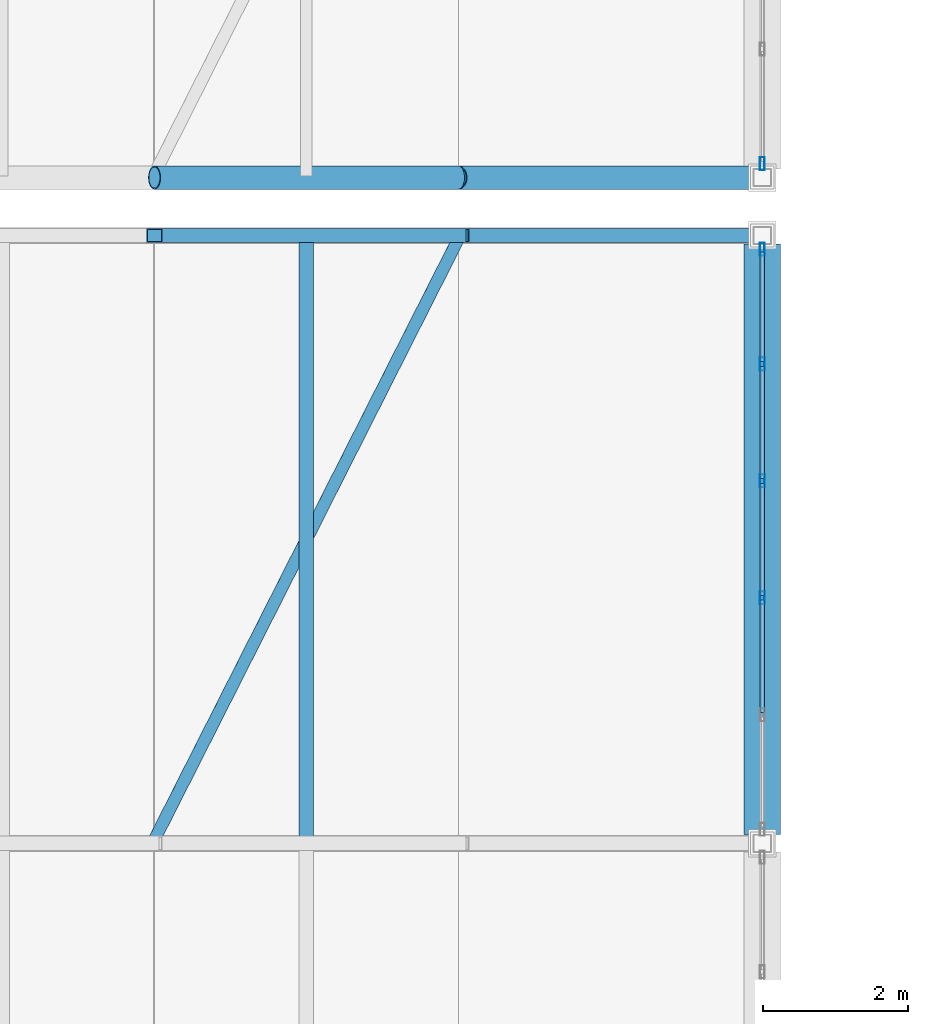
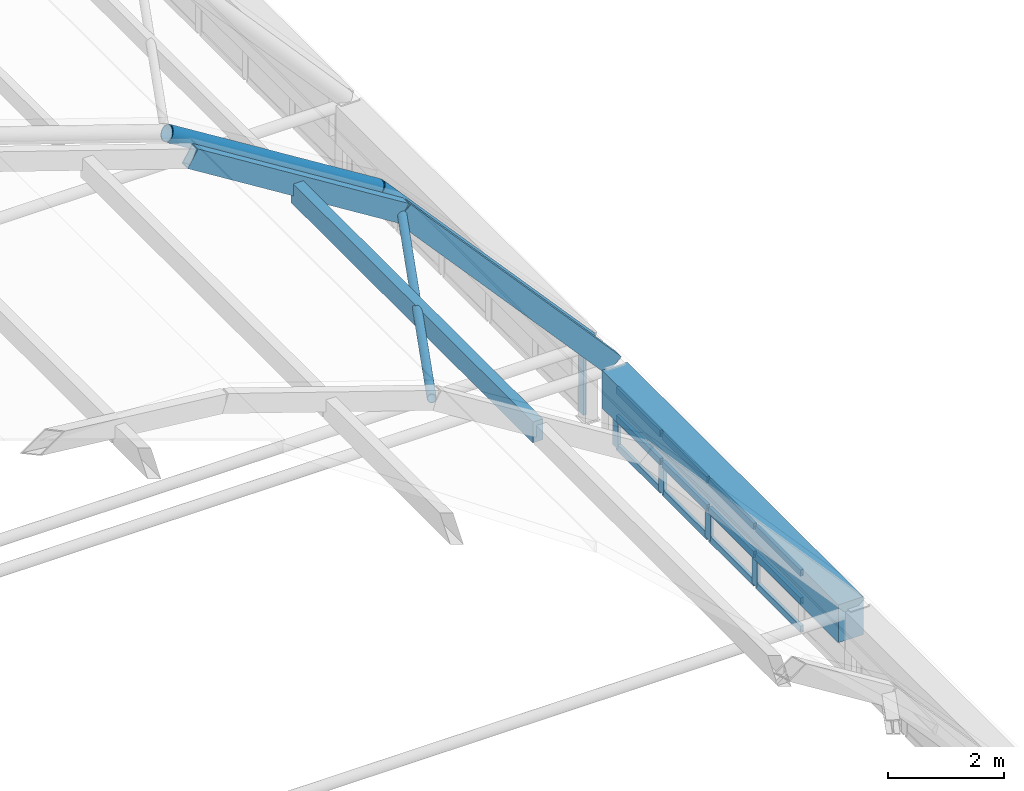
# One storey, part 36 of 114: 19 members, 5 beams, 2 elements without a shape of their own.
"""IFC4 building model written with IfcOpenShell, lengths in metres."""

from ifc_helpers import new_model, si_unit, direction, frame, origin, origin_2d, place, context, subcontext, project, spatial, rectangle, hollow_rectangle, hollow_circle, extrude, material, layer, layer_set, material_profile, profile_set, type_object, element, aggregate, save


model = new_model("IFC4")

# Units and contexts
model_context = context("Model", 3, precision=1e-05, world=origin(), true_north=direction((0.0, 1.0)))
body_context = subcontext(model_context, "Body", "Model", "MODEL_VIEW")
ifc_project = project(units=[si_unit("LENGTHUNIT", "METRE"), si_unit("AREAUNIT", "SQUARE_METRE"), si_unit("VOLUMEUNIT", "CUBIC_METRE"), si_unit("PLANEANGLEUNIT", "RADIAN"), si_unit("MASSUNIT", "GRAM", prefix="KILO")], contexts=[model_context])

# Site, building, storey
site_placement = place(None, origin())
site = spatial("IfcSite", under=ifc_project, at=site_placement, CompositionType="ELEMENT")
building_placement = place(site_placement, origin())
building = spatial("IfcBuilding", under=site, at=building_placement, Name="Xazarin Passage Department Store", CompositionType="ELEMENT")
storey_placement = place(building_placement, frame((0.0, 0.0, 14.39990234375)))
storey = spatial("IfcBuildingStorey", under=building, at=storey_placement, Name="L03", CompositionType="ELEMENT", Elevation=14.39990234375)

# Curtain wall, members
ifc_material_1 = material(Name="Bronze anodised aluminium", Category="aluminium")
ifc_layer = layer(ifc_material_1, 0.159912109375)
ifc_layer_set = layer_set([ifc_layer], Name="Bronze anodised aluminium")
curtain_wall_type = type_object("IfcCurtainWallType", Name="ARC-CW-ARC1", PredefinedType="NOTDEFINED", material=ifc_layer_set)
curtain_wall_1_placement = place(storey_placement, origin())
curtain_wall_1 = element("IfcCurtainWall", 1, at=curtain_wall_1_placement, inside=storey, type_object=curtain_wall_type, Name="L03 V2S Galleria Clerestory Curtain Wall 6E", PredefinedType="NOTDEFINED")
ifc_material_profile_1 = material_profile(ifc_material_1, hollow_rectangle(XDim=0.06494140625, YDim=0.179931640625, WallThickness=0.00390625, at=origin_2d()), Name="ALU 65x180")
ifc_profile_set_1 = profile_set([ifc_material_profile_1], Name="Bronze anodised aluminium")
member_type_1 = type_object("IfcMemberType", Name="ARC-CWM-65x180", PredefinedType="MULLION", material=ifc_profile_set_1)
member_1_placement = place(storey_placement, frame((101.60009765625, 45.39208984375, 0.0), z_axis=(0.0, 0.0, 1.0), x_axis=(-1.0, 0.0, 0.0)))
member_1 = element("IfcMember", 2, at=member_1_placement, type_object=member_type_1, Name="CW3 mullion 3", PredefinedType="MULLION", context=body_context, shape_type="SweptSolid", body=[
    extrude(hollow_rectangle(XDim=0.06494140625, YDim=0.179931640625, WallThickness=0.00390625, at=origin_2d()), origin(), (0.0, 0.0, 1.0), 1.251708984375),
])
member_2_placement = place(storey_placement, frame((101.60009765625, 47.008056640625, 0.0), z_axis=(0.0, 0.0, 1.0), x_axis=(-1.0, 0.0, 0.0)))
member_2 = element("IfcMember", 3, at=member_2_placement, type_object=member_type_1, Name="CW3 mullion 4", PredefinedType="MULLION", context=body_context, shape_type="SweptSolid", body=[
    extrude(hollow_rectangle(XDim=0.06494140625, YDim=0.179931640625, WallThickness=0.00390625, at=origin_2d()), origin(), (0.0, 0.0, 1.0), 1.251708984375),
])
member_3_placement = place(storey_placement, frame((101.60009765625, 48.6240234375, 0.0), z_axis=(0.0, 0.0, 1.0), x_axis=(-1.0, 0.0, 0.0)))
member_3 = element("IfcMember", 4, at=member_3_placement, type_object=member_type_1, Name="CW3 mullion 5", PredefinedType="MULLION", context=body_context, shape_type="SweptSolid", body=[
    extrude(hollow_rectangle(XDim=0.06494140625, YDim=0.179931640625, WallThickness=0.00390625, at=origin_2d()), origin(), (0.0, 0.0, 1.0), 1.251708984375),
])
member_4_placement = place(storey_placement, frame((101.60009765625, 50.20751953125, 0.0), z_axis=(0.0, 0.0, 1.0), x_axis=(-1.0, 0.0, 0.0)))
member_4 = element("IfcMember", 5, at=member_4_placement, type_object=member_type_1, Name="CW3 mullion 6", PredefinedType="MULLION", context=body_context, shape_type="SweptSolid", body=[
    extrude(hollow_rectangle(XDim=0.06494140625, YDim=0.179931640625, WallThickness=0.00390625, at=origin_2d()), origin(), (0.0, 0.0, 1.0), 1.251708984375),
])

# Curtain wall, member
curtain_wall_2_placement = place(storey_placement, origin())
curtain_wall_2 = element("IfcCurtainWall", 6, at=curtain_wall_2_placement, inside=storey, type_object=curtain_wall_type, Name="L03 V2N Galleria Clerestory Curtain Wall 1E", PredefinedType="NOTDEFINED")
member_5_placement = place(storey_placement, frame((101.60009765625, 51.392578125, 0.0), z_axis=(0.0, 0.0, 1.0), x_axis=(-1.0, 0.0, 0.0)))
member_5 = element("IfcMember", 7, at=member_5_placement, type_object=member_type_1, Name="CW3 mullion 1", PredefinedType="MULLION", context=body_context, shape_type="SweptSolid", body=[
    extrude(hollow_rectangle(XDim=0.06494140625, YDim=0.179931640625, WallThickness=0.00390625, at=origin_2d()), origin(), (0.0, 0.0, 1.0), 1.251708984375),
])
aggregate(curtain_wall_2, [member_5])

# Member
ifc_material_profile_2 = material_profile(ifc_material_1, hollow_rectangle(XDim=0.06494140625, YDim=0.139892578125, WallThickness=0.00390625, at=origin_2d()), Name="ALU 65x140")
ifc_profile_set_2 = profile_set([ifc_material_profile_2], Name="Bronze anodised aluminium")
member_type_2 = type_object("IfcMemberType", Name="ARC-CWT-65x140", PredefinedType="USERDEFINED", material=ifc_profile_set_2)
member_6_placement = place(storey_placement, frame((101.60009765625, 43.80859375, 0.03271484375), z_axis=(0.0, 1.0, 0.0), x_axis=(-1.0, 0.0, 0.0)))
member_6 = element("IfcMember", 8, at=member_6_placement, type_object=member_type_2, Name="CW3 transom 2.1", ObjectType="TRANSOM", PredefinedType="USERDEFINED", context=body_context, shape_type="SweptSolid", body=[
    extrude(hollow_rectangle(XDim=0.06494140625, YDim=0.139892578125, WallThickness=0.00390625, at=origin_2d()), origin(), (0.0, 0.0, 1.0), 1.551025390625),
])

member_7_placement = place(storey_placement, frame((101.60009765625, 43.80859375, 0.6259765625), z_axis=(0.0, 1.0, 0.0), x_axis=(-1.0, 0.0, 0.0)))
member_7 = element("IfcMember", 9, at=member_7_placement, type_object=member_type_2, Name="CW3 transom 2.2", ObjectType="TRANSOM", PredefinedType="USERDEFINED", context=body_context, shape_type="SweptSolid", body=[
    extrude(hollow_rectangle(XDim=0.06494140625, YDim=0.139892578125, WallThickness=0.00390625, at=origin_2d()), origin(), (0.0, 0.0, 1.0), 1.551025390625),
])

member_8_placement = place(storey_placement, frame((101.60009765625, 43.80859375, 1.21923828125), z_axis=(0.0, 1.0, 0.0), x_axis=(-1.0, 0.0, 0.0)))
member_8 = element("IfcMember", 10, at=member_8_placement, type_object=member_type_2, Name="CW3 transom 2.3", ObjectType="TRANSOM", PredefinedType="USERDEFINED", context=body_context, shape_type="SweptSolid", body=[
    extrude(hollow_rectangle(XDim=0.06494140625, YDim=0.139892578125, WallThickness=0.00390625, at=origin_2d()), origin(), (0.0, 0.0, 1.0), 1.551025390625),
])

member_9_placement = place(storey_placement, frame((101.60009765625, 45.424560546875, 0.03271484375), z_axis=(0.0, 1.0, 0.0), x_axis=(-1.0, 0.0, 0.0)))
member_9 = element("IfcMember", 11, at=member_9_placement, type_object=member_type_2, Name="CW3 transom 3.1", ObjectType="TRANSOM", PredefinedType="USERDEFINED", context=body_context, shape_type="SweptSolid", body=[
    extrude(hollow_rectangle(XDim=0.06494140625, YDim=0.139892578125, WallThickness=0.00390625, at=origin_2d()), origin(), (0.0, 0.0, 1.0), 1.551025390625),
])

member_10_placement = place(storey_placement, frame((101.60009765625, 45.424560546875, 0.6259765625), z_axis=(0.0, 1.0, 0.0), x_axis=(-1.0, 0.0, 0.0)))
member_10 = element("IfcMember", 12, at=member_10_placement, type_object=member_type_2, Name="CW3 transom 3.2", ObjectType="TRANSOM", PredefinedType="USERDEFINED", context=body_context, shape_type="SweptSolid", body=[
    extrude(hollow_rectangle(XDim=0.06494140625, YDim=0.139892578125, WallThickness=0.00390625, at=origin_2d()), origin(), (0.0, 0.0, 1.0), 1.551025390625),
])

member_11_placement = place(storey_placement, frame((101.60009765625, 45.424560546875, 1.21923828125), z_axis=(0.0, 1.0, 0.0), x_axis=(-1.0, 0.0, 0.0)))
member_11 = element("IfcMember", 13, at=member_11_placement, type_object=member_type_2, Name="CW3 transom 3.3", ObjectType="TRANSOM", PredefinedType="USERDEFINED", context=body_context, shape_type="SweptSolid", body=[
    extrude(hollow_rectangle(XDim=0.06494140625, YDim=0.139892578125, WallThickness=0.00390625, at=origin_2d()), origin(), (0.0, 0.0, 1.0), 1.551025390625),
])

member_12_placement = place(storey_placement, frame((101.60009765625, 47.04052734375, 0.03271484375), z_axis=(0.0, 1.0, 0.0), x_axis=(-1.0, 0.0, 0.0)))
member_12 = element("IfcMember", 14, at=member_12_placement, type_object=member_type_2, Name="CW3 transom 4.1", ObjectType="TRANSOM", PredefinedType="USERDEFINED", context=body_context, shape_type="SweptSolid", body=[
    extrude(hollow_rectangle(XDim=0.06494140625, YDim=0.139892578125, WallThickness=0.00390625, at=origin_2d()), origin(), (0.0, 0.0, 1.0), 1.551025390625),
])

member_13_placement = place(storey_placement, frame((101.60009765625, 47.04052734375, 0.6259765625), z_axis=(0.0, 1.0, 0.0), x_axis=(-1.0, 0.0, 0.0)))
member_13 = element("IfcMember", 15, at=member_13_placement, type_object=member_type_2, Name="CW3 transom 4.2", ObjectType="TRANSOM", PredefinedType="USERDEFINED", context=body_context, shape_type="SweptSolid", body=[
    extrude(hollow_rectangle(XDim=0.06494140625, YDim=0.139892578125, WallThickness=0.00390625, at=origin_2d()), origin(), (0.0, 0.0, 1.0), 1.551025390625),
])

member_14_placement = place(storey_placement, frame((101.60009765625, 47.04052734375, 1.21923828125), z_axis=(0.0, 1.0, 0.0), x_axis=(-1.0, 0.0, 0.0)))
member_14 = element("IfcMember", 16, at=member_14_placement, type_object=member_type_2, Name="CW3 transom 4.3", ObjectType="TRANSOM", PredefinedType="USERDEFINED", context=body_context, shape_type="SweptSolid", body=[
    extrude(hollow_rectangle(XDim=0.06494140625, YDim=0.139892578125, WallThickness=0.00390625, at=origin_2d()), origin(), (0.0, 0.0, 1.0), 1.551025390625),
])

member_15_placement = place(storey_placement, frame((101.60009765625, 48.656494140625, 0.03271484375), z_axis=(0.0, 1.0, 0.0), x_axis=(-1.0, 0.0, 0.0)))
member_15 = element("IfcMember", 17, at=member_15_placement, type_object=member_type_2, Name="CW3 transom 5.1", ObjectType="TRANSOM", PredefinedType="USERDEFINED", context=body_context, shape_type="SweptSolid", body=[
    extrude(hollow_rectangle(XDim=0.06494140625, YDim=0.139892578125, WallThickness=0.00390625, at=origin_2d()), origin(), (0.0, 0.0, 1.0), 1.5185546875),
])

member_16_placement = place(storey_placement, frame((101.60009765625, 48.656494140625, 0.6259765625), z_axis=(0.0, 1.0, 0.0), x_axis=(-1.0, 0.0, 0.0)))
member_16 = element("IfcMember", 18, at=member_16_placement, type_object=member_type_2, Name="CW3 transom 5.2", ObjectType="TRANSOM", PredefinedType="USERDEFINED", context=body_context, shape_type="SweptSolid", body=[
    extrude(hollow_rectangle(XDim=0.06494140625, YDim=0.139892578125, WallThickness=0.00390625, at=origin_2d()), origin(), (0.0, 0.0, 1.0), 1.5185546875),
])

member_17_placement = place(storey_placement, frame((101.60009765625, 48.656494140625, 1.21923828125), z_axis=(0.0, 1.0, 0.0), x_axis=(-1.0, 0.0, 0.0)))
member_17 = element("IfcMember", 19, at=member_17_placement, type_object=member_type_2, Name="CW3 transom 5.3", ObjectType="TRANSOM", PredefinedType="USERDEFINED", context=body_context, shape_type="SweptSolid", body=[
    extrude(hollow_rectangle(XDim=0.06494140625, YDim=0.139892578125, WallThickness=0.00390625, at=origin_2d()), origin(), (0.0, 0.0, 1.0), 1.5185546875),
])

aggregate(curtain_wall_1, [member_1, member_2, member_3, member_4, member_6, member_7, member_8, member_9, member_10, member_11, member_12, member_13, member_14, member_15, member_16, member_17])

# Beams
ifc_material_2 = material(Name="Steel S355", Category="steel")
ifc_material_profile_3 = material_profile(ifc_material_2, hollow_circle(Radius=0.161865234375, WallThickness=0.01611328125, at=origin_2d()), Name="CHS 323.9x16")
ifc_profile_set_3 = profile_set([ifc_material_profile_3], Name="Steel S355")
beam_type_1 = type_object("IfcBeamType", Name="STR-BM-AR324", PredefinedType="BEAM", material=ifc_profile_set_3)
beam_1_placement = place(storey_placement, frame((93.199951171875, 51.199951171875, 8.95068359375), z_axis=(0.848571440894, 0.0, -0.529080815848), x_axis=(0.0, 1.0, 0.0)))
element("IfcBeam", 20, at=beam_1_placement, inside=storey, type_object=beam_type_1, Name="V2N Primary Arch Rib 1.7", PredefinedType="BEAM", context=body_context, shape_type="SweptSolid", body=[
    extrude(hollow_circle(Radius=0.161865234375, WallThickness=0.01611328125, at=origin_2d()), origin(), (0.0, 0.0, 1.0), 4.949462890625),
])
beam_2_placement = place(storey_placement, frame((97.39990234375, 51.199951171875, 6.33203125), z_axis=(0.667913050078, 0.0, -0.744239314694), x_axis=(0.0, 1.0, 0.0)))
element("IfcBeam", 21, at=beam_2_placement, inside=storey, type_object=beam_type_1, Name="V2N Primary Arch Rib 1.8", PredefinedType="BEAM", context=body_context, shape_type="SweptSolid", body=[
    extrude(hollow_circle(Radius=0.161865234375, WallThickness=0.01611328125, at=origin_2d()), origin(), (0.0, 0.0, 1.0), 6.28857421875),
])
ifc_material_profile_4 = material_profile(ifc_material_2, hollow_rectangle(XDim=0.199951171875, YDim=0.39990234375, WallThickness=0.01611328125, at=origin_2d()), Name="RHS 400x200x16")
ifc_profile_set_4 = profile_set([ifc_material_profile_4], Name="Steel S355")
beam_type_2 = type_object("IfcBeamType", Name="STR-BM-AR400", PredefinedType="BEAM", material=ifc_profile_set_4)
beam_3_placement = place(storey_placement, frame((93.199951171875, 50.39990234375, 8.95068359375), z_axis=(0.848571440894, 0.0, -0.529080815848), x_axis=(0.0, 1.0, 0.0)))
element("IfcBeam", 22, at=beam_3_placement, inside=storey, type_object=beam_type_2, Name="V2S Primary Arch Rib 7.7", PredefinedType="BEAM", context=body_context, shape_type="SweptSolid", body=[
    extrude(hollow_rectangle(XDim=0.199951171875, YDim=0.39990234375, WallThickness=0.01611328125, at=origin_2d()), origin(), (0.0, 0.0, 1.0), 4.949462890625),
])
beam_4_placement = place(storey_placement, frame((97.39990234375, 50.39990234375, 6.33203125), z_axis=(0.667913050078, 0.0, -0.744239314694), x_axis=(0.0, 1.0, 0.0)))
element("IfcBeam", 23, at=beam_4_placement, inside=storey, type_object=beam_type_2, Name="V2S Primary Arch Rib 7.8", PredefinedType="BEAM", context=body_context, shape_type="SweptSolid", body=[
    extrude(hollow_rectangle(XDim=0.199951171875, YDim=0.39990234375, WallThickness=0.01611328125, at=origin_2d()), origin(), (0.0, 0.0, 1.0), 6.28857421875),
])
ifc_material_3 = material(Name="Concrete C40/50", Category="concrete")
ifc_material_profile_5 = material_profile(ifc_material_3, rectangle(XDim=0.5, YDim=0.800048828125, at=origin_2d()), Name="RC 500x800")
ifc_profile_set_5 = profile_set([ifc_material_profile_5], Name="Concrete C40/50")
beam_type_3 = type_object("IfcBeamType", Name="STR-BM-RG500x800", PredefinedType="BEAM", material=ifc_profile_set_5)
beam_5_placement = place(storey_placement, frame((101.60009765625, 42.1201171875, 1.251708984375), z_axis=(0.0, 1.0, 0.0), x_axis=(-1.0, 0.0, 0.0)))
element("IfcBeam", 24, at=beam_5_placement, inside=storey, type_object=beam_type_3, Name="V2S Springing Ring Girder E-6", PredefinedType="BEAM", context=body_context, shape_type="SweptSolid", body=[
    extrude(rectangle(XDim=0.5, YDim=0.800048828125, at=origin_2d()), origin(), (0.0, 0.0, 1.0), 8.159912109375),
])

# Members
ifc_material_profile_6 = material_profile(ifc_material_2, hollow_circle(Radius=0.084228515625, WallThickness=0.010009765625, at=origin_2d()), Name="CHS 168.3x10")
ifc_profile_set_6 = profile_set([ifc_material_profile_6], Name="Steel S355")
member_type_3 = type_object("IfcMemberType", Name="STR-MEM-BR168", PredefinedType="BRACE", material=ifc_profile_set_6)
member_18_placement = place(storey_placement, frame((93.199951171875, 42.050048828125, 8.900634765625), z_axis=(0.434609592328, 0.858886375073, -0.270977299733), x_axis=(-0.892269998561, 0.451502214467, 0.0)))
element("IfcMember", 25, at=member_18_placement, inside=storey, type_object=member_type_3, Name="V2S Gridshell Diagonal Brace 6.6", PredefinedType="BRACE", context=body_context, shape_type="SweptSolid", body=[
    extrude(hollow_circle(Radius=0.084228515625, WallThickness=0.010009765625, at=origin_2d()), origin(), (0.0, 0.0, 1.0), 9.663818359375),
])
ifc_material_4 = material(Name="Glulam GL28h", Category="wood")
ifc_material_profile_7 = material_profile(ifc_material_4, rectangle(XDim=0.199951171875, YDim=0.43994140625, at=origin_2d()), Name="GL28h 200x440")
ifc_profile_set_7 = profile_set([ifc_material_profile_7], Name="Glulam GL28h")
member_type_4 = type_object("IfcMemberType", Name="STR-MEM-GL440", PredefinedType="PURLIN", material=ifc_profile_set_7)
member_19_placement = place(storey_placement, frame((95.300048828125, 42.02001953125, 7.501220703125), z_axis=(0.0, 1.0, 0.0), x_axis=(-1.0, 0.0, 0.0)))
element("IfcMember", 26, at=member_19_placement, inside=storey, type_object=member_type_4, Name="V2S Glulam Gridshell Purlin 6.7", PredefinedType="PURLIN", context=body_context, shape_type="SweptSolid", body=[
    extrude(rectangle(XDim=0.199951171875, YDim=0.43994140625, at=origin_2d()), origin(), (0.0, 0.0, 1.0), 8.35986328125),
])

save(model, "model.ifc")
